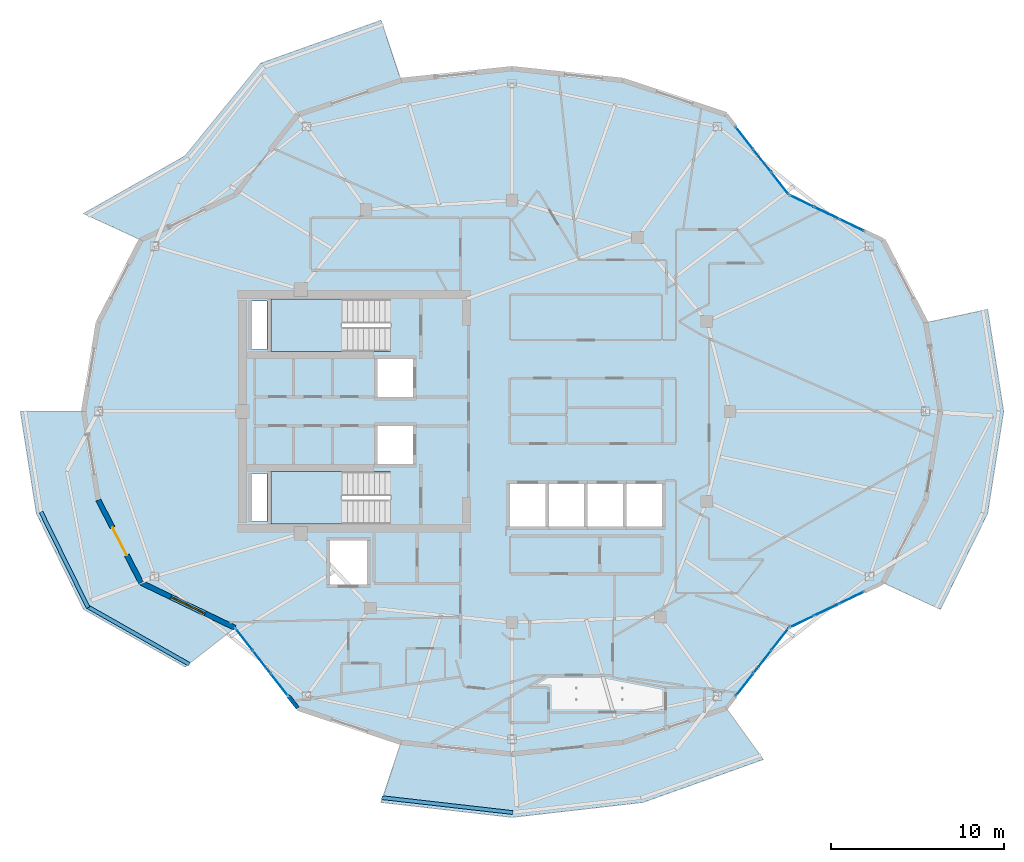
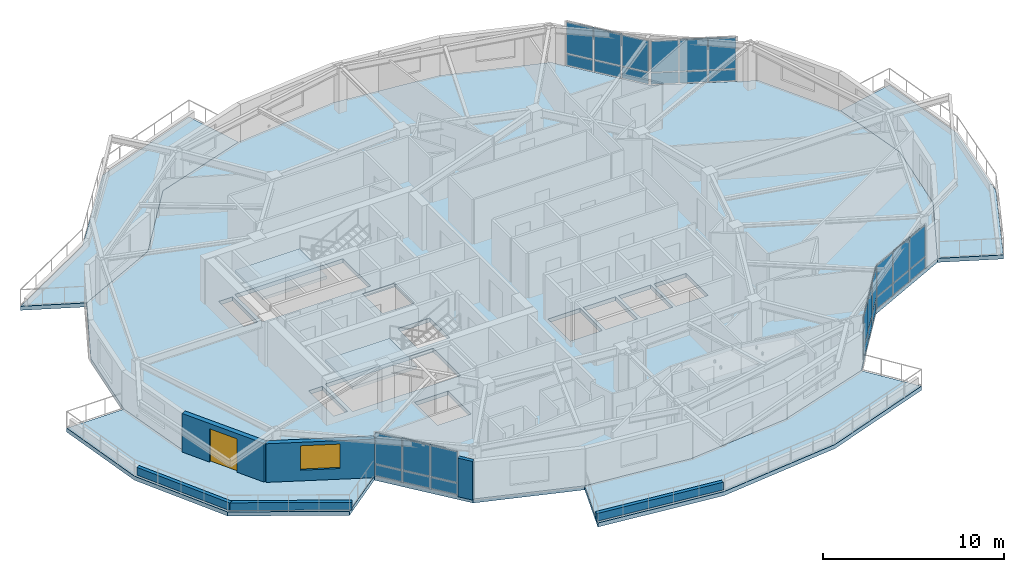
# One storey, part 7 of 21: 35 plates, 7 slabs, 6 walls, 1 door, 1 window, 2 openings, 7 elements without a shape of their own.
"""IFC4 building model written with IfcOpenShell, lengths in metres."""

import ifcopenshell
import ifcopenshell.guid

model = None  # the IFC model being written
_history = None  # IfcOwnerHistory: only IFC2X3 demands one
_inside = {}  # id of a spatial element -> (the spatial element, [elements in it])
_under = {}  # id of a project, library or spatial element -> (it, [spatial elements below it])
_declared = {}  # id of a project -> (the project, [libraries it declares])
_typed = {}  # id of a type object -> (the type object, [elements of that type])
_made_of = {}  # id of a material, layer set ... -> (it, [elements and type objects made of it])


def new_model(schema):
    """Start an empty IFC model of exactly this schema.

    Asked for "IFC4X3", IfcOpenShell would pick the latest addendum, in which some entities
    have other attributes; the version numbers below select the first issue.
    IFC2X3 requires an IfcOwnerHistory on every rooted entity: one is made here for all.
    """
    global model, _history
    if schema == "IFC4X3":
        model = ifcopenshell.file(schema_version=(4, 3, 0, 0))
    else:
        model = ifcopenshell.file(schema=schema)
    _inside.clear()
    _under.clear()
    _declared.clear()
    _typed.clear()
    _made_of.clear()
    _history = None
    if model.schema == "IFC2X3":
        org = make("IfcOrganization", Name="unknown")
        user = make(
            "IfcPersonAndOrganization",
            ThePerson=make("IfcPerson", FamilyName="unknown"),
            TheOrganization=org,
        )
        app = make(
            "IfcApplication",
            ApplicationDeveloper=org,
            Version="unknown",
            ApplicationFullName="unknown",
            ApplicationIdentifier="unknown",
        )
        _history = make(
            "IfcOwnerHistory",
            OwningUser=user,
            OwningApplication=app,
            ChangeAction="ADDED",
            CreationDate=0,
        )
    return model


def make(cls, **values):
    """One entity of the class cls with the attributes given. An attribute that is None is left unset."""
    return model.create_entity(
        cls, **{name: value for name, value in values.items() if value is not None}
    )


def rooted(cls, **values):
    """An entity with a GlobalId (a new one), such as an element, a storey or a relation."""
    return make(cls, GlobalId=ifcopenshell.guid.new(), OwnerHistory=_history, **values)


def si_unit(unit_type, name, prefix=None):
    """IfcSIUnit, for example si_unit("LENGTHUNIT", "METRE", prefix="MILLI")."""
    return make("IfcSIUnit", UnitType=unit_type, Prefix=prefix, Name=name)


def assignment(units):
    """IfcUnitAssignment: the units of a project."""
    return None if units is None else make("IfcUnitAssignment", Units=units)


def point(xyz):
    """IfcCartesianPoint."""
    return None if xyz is None else make("IfcCartesianPoint", Coordinates=xyz)


def direction(xyz):
    """IfcDirection."""
    return None if xyz is None else make("IfcDirection", DirectionRatios=xyz)


def frame(location, z_axis=None, x_axis=None):
    """IfcAxis2Placement3D, a coordinate frame: its origin and axes. An axis left out is left unset."""
    return make(
        "IfcAxis2Placement3D",
        Location=point(location),
        Axis=direction(z_axis),
        RefDirection=direction(x_axis),
    )


def frame_2d(location, x_axis=None):
    """IfcAxis2Placement2D, a coordinate frame in the plane: its origin and x axis."""
    return make(
        "IfcAxis2Placement2D", Location=point(location), RefDirection=direction(x_axis)
    )


def origin():
    """The frame at (0, 0, 0) with its axes left unset."""
    return frame((0.0, 0.0, 0.0))


def origin_2d():
    """The frame at (0, 0) in the plane with its x axis left unset."""
    return frame_2d((0.0, 0.0))


def place(relative_to, where):
    """IfcLocalPlacement: puts the frame where relative to a parent placement (None: the world)."""
    return make(
        "IfcLocalPlacement", PlacementRelTo=relative_to, RelativePlacement=where
    )


def context(
    kind, dimensions, precision=None, world=None, true_north=None, identifier=None
):
    """IfcGeometricRepresentationContext, for example the 3D "Model" context."""
    return make(
        "IfcGeometricRepresentationContext",
        ContextIdentifier=identifier,
        ContextType=kind,
        CoordinateSpaceDimension=dimensions,
        Precision=precision,
        WorldCoordinateSystem=world,
        TrueNorth=true_north,
    )


def subcontext(parent, identifier, kind, view, scale=None):
    """IfcGeometricRepresentationSubContext, for example "Body" below "Model"."""
    return make(
        "IfcGeometricRepresentationSubContext",
        ContextIdentifier=identifier,
        ContextType=kind,
        ParentContext=parent,
        TargetScale=scale,
        TargetView=view,
    )


def project(units=None, contexts=None):
    """IfcProject with its units and contexts."""
    return rooted(
        "IfcProject",
        Name="project",
        RepresentationContexts=contexts,
        UnitsInContext=assignment(units),
    )


def spatial(cls, under=None, at=None, **own):
    """A site, building, storey or space (cls), placed at a placement, below another one or the project."""
    s = rooted(cls, ObjectPlacement=at, **own)
    if under is not None:
        _under.setdefault(under.id(), (under, []))[1].append(s)
    return s


def polyline(points):
    """IfcPolyline through the points."""
    return make("IfcPolyline", Points=[point(p) for p in points])


def profile(cls, at=None, kind="AREA", **sizes):
    """A parametric profile (cls). Its sizes go by their IFC names, for example OverallWidth=200.0."""
    return make(cls, ProfileType=kind, Position=at, **sizes)


def rectangle(**sizes):
    """IfcRectangleProfileDef."""
    return profile("IfcRectangleProfileDef", **sizes)


def outline(outer, holes=None, kind="AREA"):
    """IfcArbitraryClosedProfileDef: a profile drawn as a closed curve; with holes, ...WithVoids."""
    if holes is None:
        return make("IfcArbitraryClosedProfileDef", ProfileType=kind, OuterCurve=outer)
    return make(
        "IfcArbitraryProfileDefWithVoids",
        ProfileType=kind,
        OuterCurve=outer,
        InnerCurves=holes,
    )


def extrude(swept, where, along, depth):
    """IfcExtrudedAreaSolid: the profile swept, set in the frame where, extruded along a direction by depth."""
    return make(
        "IfcExtrudedAreaSolid",
        SweptArea=swept,
        Position=where,
        ExtrudedDirection=direction(along),
        Depth=depth,
    )


def shape(context_of_items, identifier, shape_type, items):
    """IfcShapeRepresentation: the items that make up one representation, for example the "Body"."""
    return make(
        "IfcShapeRepresentation",
        ContextOfItems=context_of_items,
        RepresentationIdentifier=identifier,
        RepresentationType=shape_type,
        Items=items,
    )


def material(Name=None, Category=None):
    """IfcMaterial."""
    return make("IfcMaterial", Name=Name, Category=Category)


def layer(
    of_material, thickness, ventilated=None, Name=None, Category=None, Priority=None
):
    """IfcMaterialLayer: one layer of a wall or slab, of a material (None: an air gap)."""
    return make(
        "IfcMaterialLayer",
        Material=of_material,
        LayerThickness=thickness,
        IsVentilated=ventilated,
        Name=Name,
        Category=Category,
        Priority=Priority,
    )


def layer_set(layers, Name=None):
    """IfcMaterialLayerSet."""
    return make("IfcMaterialLayerSet", MaterialLayers=layers, LayerSetName=Name)


def made_of(thing, what):
    """Note that an element or type object is made of a material, layer set ...; save() writes the relation."""
    if what is not None:
        _made_of.setdefault(what.id(), (what, []))[1].append(thing)
    return thing


def type_object(cls, material=None, **own):
    """A type object (cls), such as IfcWallType, which elements share."""
    return made_of(rooted(cls, **own), material)


def element(
    cls,
    number,
    at=None,
    inside=None,
    cuts=None,
    type_object=None,
    material=None,
    context=None,
    identifier="Body",
    shape_type=None,
    held_by="IfcProductDefinitionShape",
    body=None,
    shapes=None,
    **own,
):
    """One element of the class cls, such as IfcWall. Its Tag is "e" and its number.

    at: its placement. inside: the storey or other place that contains it. cuts: it is an
    opening in that element (IfcRelVoidsElement). A single representation is given by context,
    identifier, shape_type and body (its items); several are given by shapes. held_by: the class
    of the entity that holds the representations. save() writes the other relations.
    """
    e = rooted(cls, Tag="e%d" % number, ObjectPlacement=at, **own)
    if body is not None:
        shapes = [shape(context, identifier, shape_type, body)]
    if shapes is not None:
        e.Representation = make(held_by, Representations=shapes)
    if inside is not None:
        _inside.setdefault(inside.id(), (inside, []))[1].append(e)
    if cuts is not None:
        rooted(
            "IfcRelVoidsElement", RelatingBuildingElement=cuts, RelatedOpeningElement=e
        )
    if type_object is not None:
        _typed.setdefault(type_object.id(), (type_object, []))[1].append(e)
    return made_of(e, material)


def fill(opening, filler):
    """IfcRelFillsElement: the door or window that sits in an opening."""
    return rooted(
        "IfcRelFillsElement",
        RelatingOpeningElement=opening,
        RelatedBuildingElement=filler,
    )


def aggregate(whole, parts):
    """IfcRelAggregates: a whole, such as a stair, and the parts it consists of."""
    return rooted("IfcRelAggregates", RelatingObject=whole, RelatedObjects=parts)


def save(model, path):
    """Write the relations noted so far, then the file.

    IfcRelAggregates (storeys below a building ...), IfcRelContainedInSpatialStructure (elements
    in a storey), IfcRelDefinesByType, IfcRelAssociatesMaterial and IfcRelDeclares: one each for
    every whole, place, type object, material and project.
    """
    for whole, parts in _under.values():
        aggregate(whole, parts)
    for where, things in _inside.values():
        rooted(
            "IfcRelContainedInSpatialStructure",
            RelatedElements=things,
            RelatingStructure=where,
        )
    for kind, things in _typed.values():
        rooted("IfcRelDefinesByType", RelatedObjects=things, RelatingType=kind)
    for what, things in _made_of.values():
        rooted("IfcRelAssociatesMaterial", RelatedObjects=things, RelatingMaterial=what)
    for by, libraries in _declared.values():
        rooted("IfcRelDeclares", RelatingContext=by, RelatedDefinitions=libraries)
    model.write(path)


model = new_model("IFC4")

# Units and contexts
model_context = context("Model", 3, precision=1e-05, world=origin(), true_north=direction((0.0, 1.0)))
body_context = subcontext(model_context, "Body", "Model", "MODEL_VIEW")
ifc_project = project(units=[si_unit("LENGTHUNIT", "METRE"), si_unit("AREAUNIT", "SQUARE_METRE"), si_unit("VOLUMEUNIT", "CUBIC_METRE"), si_unit("PLANEANGLEUNIT", "RADIAN"), si_unit("MASSUNIT", "GRAM", prefix="KILO")], contexts=[model_context])

# Site, building, storey
site_placement = place(None, origin())
site = spatial("IfcSite", under=ifc_project, at=site_placement, CompositionType="ELEMENT")
building_placement = place(site_placement, origin())
building = spatial("IfcBuilding", under=site, at=building_placement, Name="Kolvaren Gate Tower and Convention Centre", CompositionType="ELEMENT")
storey_placement = place(building_placement, frame((0.0, 0.0, 226.10009765625)))
storey = spatial("IfcBuildingStorey", under=building, at=storey_placement, Name="L60", CompositionType="ELEMENT", Elevation=226.10009765625)

# Plates
ifc_material_1 = material(Name="Perforated Anodized Bronze Aluminium Sheet 6 mm", Category="aluminium")
ifc_layer_1 = layer(ifc_material_1, 0.011962890625)
ifc_layer_set_1 = layer_set([ifc_layer_1], Name="Perforated Anodized Bronze Aluminium Sheet 6 mm")
plate_type_1 = type_object("IfcPlateType", Name="ARCH-PL-SCREEN-PERF", PredefinedType="SHEET", material=ifc_layer_set_1)
for number, where, z_axis, x_axis, name in (
    (1, (48.845703125, 38.20361328125, 2.18994140625), (0.0, 0.0, 1.0), (0.90135914581, -0.433072384555, 0.0), "Tower L60 Perforated Bronze Solar Screen SS-02"),
    (2, (44.316162109375, 41.827392578125, 2.18994140625), (0.0, 0.0, 1.0), (0.616434119112, -0.787406487651, 0.0), "Tower L60 Perforated Bronze Solar Screen SS-03"),
    (3, (15.93359375, 12.172607421875, 2.18994140625), (0.0, 0.0, 1.0), (0.616434119112, -0.787406487651, 0.0), "Tower L60 Perforated Bronze Solar Screen SS-15"),
    (4, (44.316162109375, 12.172607421875, 2.18994140625), (0.0, 0.0, 1.0), (0.616434119112, 0.787406487651, 0.0), "Tower L60 Perforated Bronze Solar Screen SS-20"),
    (5, (48.845703125, 15.79638671875, 2.18994140625), (0.0, 0.0, 1.0), (0.90135914581, 0.433072384555, 0.0), "Tower L60 Perforated Bronze Solar Screen SS-21"),
):
    element("IfcPlate", number, at=place(storey_placement, frame(where, z_axis=z_axis, x_axis=x_axis)), inside=storey, type_object=plate_type_1, Name=name, PredefinedType="SHEET", context=body_context, shape_type="SweptSolid", body=[
        extrude(rectangle(XDim=2.60009765625, YDim=0.011962890625, at=origin_2d()), origin(), (0.0, 0.0, 1.0), 0.840087890625),
    ])

# Curtain wall, plates
ifc_material_2 = material(Name="Anodized Architectural Aluminium Alloy 6063-T6", Category="aluminium")
ifc_layer_2 = layer(ifc_material_2, 0.159912109375)
ifc_layer_set_2 = layer_set([ifc_layer_2], Name="Anodized Architectural Aluminium Alloy 6063-T6")
curtain_wall_type = type_object("IfcCurtainWallType", Name="CW-RES-UNIT", PredefinedType="NOTDEFINED", material=ifc_layer_set_2)
curtain_wall_1_placement = place(storey_placement, origin())
curtain_wall_1 = element("IfcCurtainWall", 6, at=curtain_wall_1_placement, inside=storey, type_object=curtain_wall_type, Name="Tower L60 Unitised Curtain Wall CW-RES-UNIT Bay 02", PredefinedType="NOTDEFINED")
ifc_material_3 = material(Name="Low-E Triple Insulated Glazing Unit 44 mm", Category="glass")
ifc_layer_3 = layer(ifc_material_3, 0.0439453125)
ifc_layer_set_3 = layer_set([ifc_layer_3], Name="Low-E Triple Insulated Glazing Unit 44 mm")
plate_type_2 = type_object("IfcPlateType", Name="CW-PL-IGU-44", PredefinedType="CURTAIN_PANEL", material=ifc_layer_set_3)
plate_1_placement = place(storey_placement, frame((46.8740234375, 39.15087890625, 0.88232421875), z_axis=(0.0, 0.0, 1.0), x_axis=(0.90136304725, -0.433064264345, 0.0)))
plate_1 = element("IfcPlate", 7, at=plate_1_placement, type_object=plate_type_2, Name="CW-04 panel 1.2", PredefinedType="CURTAIN_PANEL", context=body_context, shape_type="SweptSolid", body=[
    extrude(rectangle(XDim=1.515380859375, YDim=0.0439453125, at=origin_2d()), origin(), (0.0, 0.0, 1.0), 2.08251953125),
])
plate_2_placement = place(storey_placement, frame((48.313232421875, 38.45947265625, 0.88232421875), z_axis=(0.0, 0.0, 1.0), x_axis=(0.90136304725, -0.433064264345, 0.0)))
plate_2 = element("IfcPlate", 8, at=plate_2_placement, type_object=plate_type_2, Name="CW-04 panel 2.2", PredefinedType="CURTAIN_PANEL", context=body_context, shape_type="SweptSolid", body=[
    extrude(rectangle(XDim=1.548095703125, YDim=0.0439453125, at=origin_2d()), origin(), (0.0, 0.0, 1.0), 2.08251953125),
])
plate_3_placement = place(storey_placement, frame((49.752685546875, 37.76806640625, 0.88232421875), z_axis=(0.0, 0.0, 1.0), x_axis=(0.90136304725, -0.433064264345, 0.0)))
plate_3 = element("IfcPlate", 9, at=plate_3_placement, type_object=plate_type_2, Name="CW-04 panel 3.2", PredefinedType="CURTAIN_PANEL", context=body_context, shape_type="SweptSolid", body=[
    extrude(rectangle(XDim=1.515380859375, YDim=0.0439453125, at=origin_2d()), origin(), (0.0, 0.0, 1.0), 2.08251953125),
])

curtain_wall_2_placement = place(storey_placement, origin())
curtain_wall_2 = element("IfcCurtainWall", 10, at=curtain_wall_2_placement, inside=storey, type_object=curtain_wall_type, Name="Tower L60 Unitised Curtain Wall CW-RES-UNIT Bay 03", PredefinedType="NOTDEFINED")
plate_4_placement = place(storey_placement, frame((43.5654296875, 42.786376953125, 0.88232421875), z_axis=(0.0, 0.0, 1.0), x_axis=(0.616436709784, -0.787404459493, 0.0)))
plate_4 = element("IfcPlate", 11, at=plate_4_placement, type_object=plate_type_2, Name="CW-04 panel 1.2", PredefinedType="CURTAIN_PANEL", context=body_context, shape_type="SweptSolid", body=[
    extrude(rectangle(XDim=1.57470703125, YDim=0.0439453125, at=origin_2d()), origin(), (0.0, 0.0, 1.0), 2.08251953125),
])
plate_5_placement = place(storey_placement, frame((44.586181640625, 41.482421875, 0.88232421875), z_axis=(0.0, 0.0, 1.0), x_axis=(0.616436709784, -0.787404459493, 0.0)))
plate_5 = element("IfcPlate", 12, at=plate_5_placement, type_object=plate_type_2, Name="CW-04 panel 2.2", PredefinedType="CURTAIN_PANEL", context=body_context, shape_type="SweptSolid", body=[
    extrude(rectangle(XDim=1.607177734375, YDim=0.0439453125, at=origin_2d()), origin(), (0.0, 0.0, 1.0), 2.08251953125),
])
plate_6_placement = place(storey_placement, frame((45.607177734375, 40.178466796875, 0.88232421875), z_axis=(0.0, 0.0, 1.0), x_axis=(0.616436709784, -0.787404459493, 0.0)))
plate_6 = element("IfcPlate", 13, at=plate_6_placement, type_object=plate_type_2, Name="CW-04 panel 3.2", PredefinedType="CURTAIN_PANEL", context=body_context, shape_type="SweptSolid", body=[
    extrude(rectangle(XDim=1.57470703125, YDim=0.0439453125, at=origin_2d()), origin(), (0.0, 0.0, 1.0), 2.08251953125),
])

curtain_wall_3_placement = place(storey_placement, origin())
curtain_wall_3 = element("IfcCurtainWall", 14, at=curtain_wall_3_placement, inside=storey, type_object=curtain_wall_type, Name="Tower L60 Unitised Curtain Wall CW-RES-UNIT Bay 15", PredefinedType="NOTDEFINED")
plate_7_placement = place(storey_placement, frame((14.64306640625, 13.821533203125, 0.88232421875), z_axis=(0.0, 0.0, 1.0), x_axis=(0.616429718179, -0.787409932974, 0.0)))
plate_7 = element("IfcPlate", 15, at=plate_7_placement, type_object=plate_type_2, Name="CW-04 panel 1.2", PredefinedType="CURTAIN_PANEL", context=body_context, shape_type="SweptSolid", body=[
    extrude(rectangle(XDim=1.57470703125, YDim=0.0439453125, at=origin_2d()), origin(), (0.0, 0.0, 1.0), 2.08251953125),
])
plate_8_placement = place(storey_placement, frame((15.663818359375, 12.517578125, 0.88232421875), z_axis=(0.0, 0.0, 1.0), x_axis=(0.616429718179, -0.787409932974, 0.0)))
plate_8 = element("IfcPlate", 16, at=plate_8_placement, type_object=plate_type_2, Name="CW-04 panel 2.2", PredefinedType="CURTAIN_PANEL", context=body_context, shape_type="SweptSolid", body=[
    extrude(rectangle(XDim=1.607421875, YDim=0.0439453125, at=origin_2d()), origin(), (0.0, 0.0, 1.0), 2.08251953125),
])
plate_9_placement = place(storey_placement, frame((16.6845703125, 11.21337890625, 0.88232421875), z_axis=(0.0, 0.0, 1.0), x_axis=(0.616429718179, -0.787409932974, 0.0)))
plate_9 = element("IfcPlate", 17, at=plate_9_placement, type_object=plate_type_2, Name="CW-04 panel 3.2", PredefinedType="CURTAIN_PANEL", context=body_context, shape_type="SweptSolid", body=[
    extrude(rectangle(XDim=1.57470703125, YDim=0.0439453125, at=origin_2d()), origin(), (0.0, 0.0, 1.0), 2.08251953125),
])

curtain_wall_4_placement = place(storey_placement, origin())
curtain_wall_4 = element("IfcCurtainWall", 18, at=curtain_wall_4_placement, inside=storey, type_object=curtain_wall_type, Name="Tower L60 Unitised Curtain Wall CW-RES-UNIT Bay 20", PredefinedType="NOTDEFINED")
plate_10_placement = place(storey_placement, frame((43.5654296875, 11.213623046875, 0.88232421875), z_axis=(0.0, 0.0, 1.0), x_axis=(0.616436709784, 0.787404459493, 0.0)))
plate_10 = element("IfcPlate", 19, at=plate_10_placement, type_object=plate_type_2, Name="CW-04 panel 1.2", PredefinedType="CURTAIN_PANEL", context=body_context, shape_type="SweptSolid", body=[
    extrude(rectangle(XDim=1.57470703125, YDim=0.0439453125, at=origin_2d()), origin(), (0.0, 0.0, 1.0), 2.08251953125),
])
plate_11_placement = place(storey_placement, frame((44.586181640625, 12.517578125, 0.88232421875), z_axis=(0.0, 0.0, 1.0), x_axis=(0.616436709784, 0.787404459493, 0.0)))
plate_11 = element("IfcPlate", 20, at=plate_11_placement, type_object=plate_type_2, Name="CW-04 panel 2.2", PredefinedType="CURTAIN_PANEL", context=body_context, shape_type="SweptSolid", body=[
    extrude(rectangle(XDim=1.607177734375, YDim=0.0439453125, at=origin_2d()), origin(), (0.0, 0.0, 1.0), 2.08251953125),
])
plate_12_placement = place(storey_placement, frame((45.607177734375, 13.821533203125, 0.88232421875), z_axis=(0.0, 0.0, 1.0), x_axis=(0.616436709784, 0.787404459493, 0.0)))
plate_12 = element("IfcPlate", 21, at=plate_12_placement, type_object=plate_type_2, Name="CW-04 panel 3.2", PredefinedType="CURTAIN_PANEL", context=body_context, shape_type="SweptSolid", body=[
    extrude(rectangle(XDim=1.57470703125, YDim=0.0439453125, at=origin_2d()), origin(), (0.0, 0.0, 1.0), 2.08251953125),
])

curtain_wall_5_placement = place(storey_placement, origin())
curtain_wall_5 = element("IfcCurtainWall", 22, at=curtain_wall_5_placement, inside=storey, type_object=curtain_wall_type, Name="Tower L60 Unitised Curtain Wall CW-RES-UNIT Bay 21", PredefinedType="NOTDEFINED")
plate_13_placement = place(storey_placement, frame((46.8740234375, 14.84912109375, 0.88232421875), z_axis=(0.0, 0.0, 1.0), x_axis=(0.90136304725, 0.433064264345, 0.0)))
plate_13 = element("IfcPlate", 23, at=plate_13_placement, type_object=plate_type_2, Name="CW-04 panel 1.2", PredefinedType="CURTAIN_PANEL", context=body_context, shape_type="SweptSolid", body=[
    extrude(rectangle(XDim=1.515380859375, YDim=0.0439453125, at=origin_2d()), origin(), (0.0, 0.0, 1.0), 2.08251953125),
])
plate_14_placement = place(storey_placement, frame((48.313232421875, 15.54052734375, 0.88232421875), z_axis=(0.0, 0.0, 1.0), x_axis=(0.90136304725, 0.433064264345, 0.0)))
plate_14 = element("IfcPlate", 24, at=plate_14_placement, type_object=plate_type_2, Name="CW-04 panel 2.2", PredefinedType="CURTAIN_PANEL", context=body_context, shape_type="SweptSolid", body=[
    extrude(rectangle(XDim=1.548095703125, YDim=0.0439453125, at=origin_2d()), origin(), (0.0, 0.0, 1.0), 2.08251953125),
])
plate_15_placement = place(storey_placement, frame((49.752685546875, 16.23193359375, 0.88232421875), z_axis=(0.0, 0.0, 1.0), x_axis=(0.90136304725, 0.433064264345, 0.0)))
plate_15 = element("IfcPlate", 25, at=plate_15_placement, type_object=plate_type_2, Name="CW-04 panel 3.2", PredefinedType="CURTAIN_PANEL", context=body_context, shape_type="SweptSolid", body=[
    extrude(rectangle(XDim=1.515380859375, YDim=0.0439453125, at=origin_2d()), origin(), (0.0, 0.0, 1.0), 2.08251953125),
])

# Plate
ifc_material_4 = material(Name="Solar-Control Laminated Curtain Glazing 36 mm", Category="glass")
ifc_layer_4 = layer(ifc_material_4, 0.035888671875)
ifc_layer_set_4 = layer_set([ifc_layer_4], Name="Solar-Control Laminated Curtain Glazing 36 mm")
plate_type_3 = type_object("IfcPlateType", Name="CW-PL-SPAN-36", PredefinedType="CURTAIN_PANEL", material=ifc_layer_set_4)
plate_16_placement = place(storey_placement, frame((46.8740234375, 39.15087890625, 0.06494140625), z_axis=(0.0, 0.0, 1.0), x_axis=(0.90136304725, -0.433064264345, 0.0)))
plate_16 = element("IfcPlate", 26, at=plate_16_placement, type_object=plate_type_3, Name="CW-04 panel 1.1", PredefinedType="CURTAIN_PANEL", context=body_context, shape_type="SweptSolid", body=[
    extrude(rectangle(XDim=1.515380859375, YDim=0.035888671875, at=origin_2d()), origin(), (0.0, 0.0, 1.0), 0.75244140625),
])

plate_17_placement = place(storey_placement, frame((48.313232421875, 38.45947265625, 0.06494140625), z_axis=(0.0, 0.0, 1.0), x_axis=(0.90136304725, -0.433064264345, 0.0)))
plate_17 = element("IfcPlate", 27, at=plate_17_placement, type_object=plate_type_3, Name="CW-04 panel 2.1", PredefinedType="CURTAIN_PANEL", context=body_context, shape_type="SweptSolid", body=[
    extrude(rectangle(XDim=1.548095703125, YDim=0.035888671875, at=origin_2d()), origin(), (0.0, 0.0, 1.0), 0.75244140625),
])

plate_18_placement = place(storey_placement, frame((49.752685546875, 37.76806640625, 0.06494140625), z_axis=(0.0, 0.0, 1.0), x_axis=(0.90136304725, -0.433064264345, 0.0)))
plate_18 = element("IfcPlate", 28, at=plate_18_placement, type_object=plate_type_3, Name="CW-04 panel 3.1", PredefinedType="CURTAIN_PANEL", context=body_context, shape_type="SweptSolid", body=[
    extrude(rectangle(XDim=1.515380859375, YDim=0.035888671875, at=origin_2d()), origin(), (0.0, 0.0, 1.0), 0.75244140625),
])

aggregate(curtain_wall_1, [plate_16, plate_1, plate_17, plate_2, plate_18, plate_3])

plate_19_placement = place(storey_placement, frame((43.5654296875, 42.786376953125, 0.06494140625), z_axis=(0.0, 0.0, 1.0), x_axis=(0.616436709784, -0.787404459493, 0.0)))
plate_19 = element("IfcPlate", 29, at=plate_19_placement, type_object=plate_type_3, Name="CW-04 panel 1.1", PredefinedType="CURTAIN_PANEL", context=body_context, shape_type="SweptSolid", body=[
    extrude(rectangle(XDim=1.57470703125, YDim=0.035888671875, at=origin_2d()), origin(), (0.0, 0.0, 1.0), 0.75244140625),
])

plate_20_placement = place(storey_placement, frame((44.586181640625, 41.482421875, 0.06494140625), z_axis=(0.0, 0.0, 1.0), x_axis=(0.616436709784, -0.787404459493, 0.0)))
plate_20 = element("IfcPlate", 30, at=plate_20_placement, type_object=plate_type_3, Name="CW-04 panel 2.1", PredefinedType="CURTAIN_PANEL", context=body_context, shape_type="SweptSolid", body=[
    extrude(rectangle(XDim=1.607177734375, YDim=0.035888671875, at=origin_2d()), origin(), (0.0, 0.0, 1.0), 0.75244140625),
])

plate_21_placement = place(storey_placement, frame((45.607177734375, 40.178466796875, 0.06494140625), z_axis=(0.0, 0.0, 1.0), x_axis=(0.616436709784, -0.787404459493, 0.0)))
plate_21 = element("IfcPlate", 31, at=plate_21_placement, type_object=plate_type_3, Name="CW-04 panel 3.1", PredefinedType="CURTAIN_PANEL", context=body_context, shape_type="SweptSolid", body=[
    extrude(rectangle(XDim=1.57470703125, YDim=0.035888671875, at=origin_2d()), origin(), (0.0, 0.0, 1.0), 0.75244140625),
])

aggregate(curtain_wall_2, [plate_19, plate_4, plate_20, plate_5, plate_21, plate_6])

plate_22_placement = place(storey_placement, frame((14.64306640625, 13.821533203125, 0.06494140625), z_axis=(0.0, 0.0, 1.0), x_axis=(0.616429718179, -0.787409932974, 0.0)))
plate_22 = element("IfcPlate", 32, at=plate_22_placement, type_object=plate_type_3, Name="CW-04 panel 1.1", PredefinedType="CURTAIN_PANEL", context=body_context, shape_type="SweptSolid", body=[
    extrude(rectangle(XDim=1.57470703125, YDim=0.035888671875, at=origin_2d()), origin(), (0.0, 0.0, 1.0), 0.75244140625),
])

plate_23_placement = place(storey_placement, frame((15.663818359375, 12.517578125, 0.06494140625), z_axis=(0.0, 0.0, 1.0), x_axis=(0.616429718179, -0.787409932974, 0.0)))
plate_23 = element("IfcPlate", 33, at=plate_23_placement, type_object=plate_type_3, Name="CW-04 panel 2.1", PredefinedType="CURTAIN_PANEL", context=body_context, shape_type="SweptSolid", body=[
    extrude(rectangle(XDim=1.607421875, YDim=0.035888671875, at=origin_2d()), origin(), (0.0, 0.0, 1.0), 0.75244140625),
])

plate_24_placement = place(storey_placement, frame((16.6845703125, 11.21337890625, 0.06494140625), z_axis=(0.0, 0.0, 1.0), x_axis=(0.616429718179, -0.787409932974, 0.0)))
plate_24 = element("IfcPlate", 34, at=plate_24_placement, type_object=plate_type_3, Name="CW-04 panel 3.1", PredefinedType="CURTAIN_PANEL", context=body_context, shape_type="SweptSolid", body=[
    extrude(rectangle(XDim=1.57470703125, YDim=0.035888671875, at=origin_2d()), origin(), (0.0, 0.0, 1.0), 0.75244140625),
])

aggregate(curtain_wall_3, [plate_22, plate_7, plate_23, plate_8, plate_24, plate_9])

plate_25_placement = place(storey_placement, frame((43.5654296875, 11.213623046875, 0.06494140625), z_axis=(0.0, 0.0, 1.0), x_axis=(0.616436709784, 0.787404459493, 0.0)))
plate_25 = element("IfcPlate", 35, at=plate_25_placement, type_object=plate_type_3, Name="CW-04 panel 1.1", PredefinedType="CURTAIN_PANEL", context=body_context, shape_type="SweptSolid", body=[
    extrude(rectangle(XDim=1.57470703125, YDim=0.035888671875, at=origin_2d()), origin(), (0.0, 0.0, 1.0), 0.75244140625),
])

plate_26_placement = place(storey_placement, frame((44.586181640625, 12.517578125, 0.06494140625), z_axis=(0.0, 0.0, 1.0), x_axis=(0.616436709784, 0.787404459493, 0.0)))
plate_26 = element("IfcPlate", 36, at=plate_26_placement, type_object=plate_type_3, Name="CW-04 panel 2.1", PredefinedType="CURTAIN_PANEL", context=body_context, shape_type="SweptSolid", body=[
    extrude(rectangle(XDim=1.607177734375, YDim=0.035888671875, at=origin_2d()), origin(), (0.0, 0.0, 1.0), 0.75244140625),
])

plate_27_placement = place(storey_placement, frame((45.607177734375, 13.821533203125, 0.06494140625), z_axis=(0.0, 0.0, 1.0), x_axis=(0.616436709784, 0.787404459493, 0.0)))
plate_27 = element("IfcPlate", 37, at=plate_27_placement, type_object=plate_type_3, Name="CW-04 panel 3.1", PredefinedType="CURTAIN_PANEL", context=body_context, shape_type="SweptSolid", body=[
    extrude(rectangle(XDim=1.57470703125, YDim=0.035888671875, at=origin_2d()), origin(), (0.0, 0.0, 1.0), 0.75244140625),
])

aggregate(curtain_wall_4, [plate_25, plate_10, plate_26, plate_11, plate_27, plate_12])

plate_28_placement = place(storey_placement, frame((46.8740234375, 14.84912109375, 0.06494140625), z_axis=(0.0, 0.0, 1.0), x_axis=(0.90136304725, 0.433064264345, 0.0)))
plate_28 = element("IfcPlate", 38, at=plate_28_placement, type_object=plate_type_3, Name="CW-04 panel 1.1", PredefinedType="CURTAIN_PANEL", context=body_context, shape_type="SweptSolid", body=[
    extrude(rectangle(XDim=1.515380859375, YDim=0.035888671875, at=origin_2d()), origin(), (0.0, 0.0, 1.0), 0.75244140625),
])

plate_29_placement = place(storey_placement, frame((48.313232421875, 15.54052734375, 0.06494140625), z_axis=(0.0, 0.0, 1.0), x_axis=(0.90136304725, 0.433064264345, 0.0)))
plate_29 = element("IfcPlate", 39, at=plate_29_placement, type_object=plate_type_3, Name="CW-04 panel 2.1", PredefinedType="CURTAIN_PANEL", context=body_context, shape_type="SweptSolid", body=[
    extrude(rectangle(XDim=1.548095703125, YDim=0.035888671875, at=origin_2d()), origin(), (0.0, 0.0, 1.0), 0.75244140625),
])

plate_30_placement = place(storey_placement, frame((49.752685546875, 16.23193359375, 0.06494140625), z_axis=(0.0, 0.0, 1.0), x_axis=(0.90136304725, 0.433064264345, 0.0)))
plate_30 = element("IfcPlate", 40, at=plate_30_placement, type_object=plate_type_3, Name="CW-04 panel 3.1", PredefinedType="CURTAIN_PANEL", context=body_context, shape_type="SweptSolid", body=[
    extrude(rectangle(XDim=1.515380859375, YDim=0.035888671875, at=origin_2d()), origin(), (0.0, 0.0, 1.0), 0.75244140625),
])

aggregate(curtain_wall_5, [plate_28, plate_13, plate_29, plate_14, plate_30, plate_15])

# Slabs
ifc_material_5 = material(Name="Concrete C50/60", Category="concrete")
ifc_layer_5 = layer(ifc_material_5, 0.27001953125)
ifc_layer_set_5 = layer_set([ifc_layer_5], Name="Concrete C50/60")
slab_type_1 = type_object("IfcSlabType", Name="STR-SL-BALC-270", PredefinedType="FLOOR", material=ifc_layer_set_5)
slab_1_placement = place(storey_placement, frame((0.0, 0.0, -0.27001953125)))
element("IfcSlab", 41, at=slab_1_placement, inside=storey, type_object=slab_type_1, Name="Tower L60 Planted Balcony Terrace Slab 1 (North)", PredefinedType="FLOOR", context=body_context, shape_type="SweptSolid", body=[
    extrude(outline(polyline([(23.71923828125, 46.125244140625), (17.75, 44.147216796875), (14.117431640625, 39.50732421875), (8.69091796875, 36.89990234375), (5.3681640625, 38.434814453125), (11.2333984375, 41.7607421875), (15.608154296875, 47.114990234375), (22.556884765625, 49.595703125), (23.71923828125, 46.125244140625)])), origin(), (0.0, 0.0, 1.0), 0.27001953125),
])
slab_2_placement = place(storey_placement, frame((0.0, 0.0, -0.27001953125)))
element("IfcSlab", 42, at=slab_2_placement, inside=storey, type_object=slab_type_1, Name="Tower L60 Planted Balcony Terrace Slab 2 (West)", PredefinedType="FLOOR", context=body_context, shape_type="SweptSolid", body=[
    extrude(outline(polyline([(5.375, 27.0), (6.21826171875, 21.87548828125), (8.69091796875, 17.10009765625), (14.117431640625, 14.49267578125), (11.2333984375, 12.2392578125), (5.3681640625, 15.565185546875), (2.6396484375, 21.1083984375), (1.715087890625, 27.0), (5.375, 27.0)])), origin(), (0.0, 0.0, 1.0), 0.27001953125),
])
slab_3_placement = place(storey_placement, frame((0.0, 0.0, -0.27001953125)))
element("IfcSlab", 43, at=slab_3_placement, inside=storey, type_object=slab_type_1, Name="Tower L60 Planted Balcony Terrace Slab 3 (South)", PredefinedType="FLOOR", context=body_context, shape_type="SweptSolid", body=[
    extrude(outline(polyline([(23.71923828125, 7.874755859375), (30.125, 7.199951171875), (36.53076171875, 7.874755859375), (42.5, 9.852783203125), (44.641845703125, 6.885009765625), (37.693115234375, 4.404296875), (30.125, 3.5400390625), (22.556884765625, 4.404296875), (23.71923828125, 7.874755859375)])), origin(), (0.0, 0.0, 1.0), 0.27001953125),
])
slab_4_placement = place(storey_placement, frame((0.0, 0.0, -0.27001953125)))
element("IfcSlab", 44, at=slab_4_placement, inside=storey, type_object=slab_type_1, Name="Tower L60 Planted Balcony Terrace Slab 4 (East)", PredefinedType="FLOOR", context=body_context, shape_type="SweptSolid", body=[
    extrude(outline(polyline([(51.55908203125, 17.10009765625), (54.03173828125, 21.87548828125), (54.875, 27.0), (54.03173828125, 32.12451171875), (57.6103515625, 32.8916015625), (58.534912109375, 27.0), (57.6103515625, 21.1083984375), (54.8818359375, 15.565185546875), (51.55908203125, 17.10009765625)])), origin(), (0.0, 0.0, 1.0), 0.27001953125),
])
ifc_material_6 = material(Name="Concrete C40/50", Category="concrete")
ifc_layer_6 = layer(ifc_material_6, 0.27001953125)
ifc_layer_set_6 = layer_set([ifc_layer_6], Name="Concrete C40/50")
slab_type_2 = type_object("IfcSlabType", Name="STR-SL-FLR-270", PredefinedType="FLOOR", material=ifc_layer_set_6)
slab_5_placement = place(storey_placement, frame((0.0, 0.0, -0.27001953125)))
element("IfcSlab", 45, at=slab_5_placement, inside=storey, type_object=slab_type_2, Name="Tower L60 Structural Floor Slab", PredefinedType="FLOOR", context=body_context, shape_type="SweptSolid", body=[
    extrude(outline(polyline([(54.875, 27.0), (54.03173828125, 32.12451171875), (51.55908203125, 36.89990234375), (46.132568359375, 39.50732421875), (42.5, 44.147216796875), (36.53076171875, 46.125244140625), (30.125, 46.800048828125), (23.71923828125, 46.125244140625), (17.75, 44.147216796875), (14.117431640625, 39.50732421875), (8.69091796875, 36.89990234375), (6.21826171875, 32.12451171875), (5.375, 27.0), (6.21826171875, 21.87548828125), (8.69091796875, 17.10009765625), (14.117431640625, 14.49267578125), (17.75, 9.852783203125), (23.71923828125, 7.874755859375), (30.125, 7.199951171875), (36.53076171875, 7.874755859375), (42.5, 9.852783203125), (46.132568359375, 14.49267578125), (51.55908203125, 17.10009765625), (54.03173828125, 21.87548828125), (54.875, 27.0)]), holes=[polyline([(36.75, 20.35009765625), (36.75, 22.800048828125), (38.800048828125, 22.800048828125), (38.800048828125, 20.35009765625), (36.75, 20.35009765625)]), polyline([(36.550048828125, 20.35009765625), (34.5, 20.35009765625), (34.5, 22.800048828125), (36.550048828125, 22.800048828125), (36.550048828125, 20.35009765625)]), polyline([(32.25, 20.35009765625), (32.25, 22.800048828125), (34.300048828125, 22.800048828125), (34.300048828125, 20.35009765625), (32.25, 20.35009765625)]), polyline([(30.0, 20.35009765625), (30.0, 22.800048828125), (32.050048828125, 22.800048828125), (32.050048828125, 20.35009765625), (30.0, 20.35009765625)]), polyline([(22.35009765625, 23.9599609375), (22.35009765625, 26.159912109375), (24.39990234375, 26.159912109375), (24.39990234375, 23.9599609375), (22.35009765625, 23.9599609375)]), polyline([(22.35009765625, 27.840087890625), (22.35009765625, 30.0400390625), (24.39990234375, 30.0400390625), (24.39990234375, 27.840087890625), (22.35009765625, 27.840087890625)]), polyline([(16.199951171875, 23.5400390625), (23.10009765625, 23.5400390625), (23.10009765625, 20.5), (16.199951171875, 20.5), (16.199951171875, 23.5400390625)]), polyline([(16.199951171875, 33.5), (23.10009765625, 33.5), (23.10009765625, 30.4599609375), (16.199951171875, 30.4599609375), (16.199951171875, 33.5)]), polyline([(21.75, 17.0), (19.60009765625, 17.0), (19.60009765625, 19.550048828125), (21.75, 19.550048828125), (21.75, 17.0)]), polyline([(15.080078125, 30.580078125), (15.080078125, 33.3701171875), (15.969970703125, 33.3701171875), (15.969970703125, 30.580078125), (15.080078125, 30.580078125)]), polyline([(15.969970703125, 20.6298828125), (15.080078125, 20.6298828125), (15.080078125, 23.419921875), (15.969970703125, 23.419921875), (15.969970703125, 20.6298828125)])]), origin(), (0.0, 0.0, 1.0), 0.27001953125),
])

# Stair, slab
stair_type = type_object("IfcStairType", Name="STR-STAIR-CORE", PredefinedType="HALF_TURN_STAIR", material=ifc_material_5)
stair_1_placement = place(storey_placement, origin())
stair_1 = element("IfcStair", 46, at=stair_1_placement, inside=storey, type_object=stair_type, Name="L60 Tower North Exit Stair ST-T1", PredefinedType="HALF_TURN_STAIR")
ifc_layer_7 = layer(ifc_material_5, 0.199951171875)
ifc_layer_set_7 = layer_set([ifc_layer_7], Name="Concrete C50/60")
slab_type_3 = type_object("IfcSlabType", Name="STR-SL-LAND-200", PredefinedType="LANDING", material=ifc_layer_set_7)
slab_6_placement = place(storey_placement, frame((0.0, 0.0, 1.449951171875)))
slab_6 = element("IfcSlab", 47, at=slab_6_placement, type_object=slab_type_3, Name="ST-T1 landing 1", PredefinedType="LANDING", context=body_context, shape_type="SweptSolid", body=[
    extrude(outline(polyline([(20.31005859375, 33.5), (16.199951171875, 33.5), (16.199951171875, 30.4599609375), (20.31005859375, 30.4599609375), (20.31005859375, 33.5)])), origin(), (0.0, 0.0, 1.0), 0.199951171875),
])
aggregate(stair_1, [slab_6])

stair_2_placement = place(storey_placement, origin())
stair_2 = element("IfcStair", 48, at=stair_2_placement, inside=storey, type_object=stair_type, Name="L60 Tower South Exit Stair ST-T2", PredefinedType="HALF_TURN_STAIR")
slab_7_placement = place(storey_placement, frame((0.0, 0.0, 1.449951171875)))
slab_7 = element("IfcSlab", 49, at=slab_7_placement, type_object=slab_type_3, Name="ST-T2 landing 1", PredefinedType="LANDING", context=body_context, shape_type="SweptSolid", body=[
    extrude(outline(polyline([(20.31005859375, 23.5400390625), (16.199951171875, 23.5400390625), (16.199951171875, 20.5), (20.31005859375, 20.5), (20.31005859375, 23.5400390625)])), origin(), (0.0, 0.0, 1.0), 0.199951171875),
])
aggregate(stair_2, [slab_7])

# Walls
ifc_material_7 = material(Name="Bogota Sabana Bush-Hammered Sandstone Cladding", Category="masonry")
ifc_layer_8 = layer(ifc_material_7, 0.219970703125)
ifc_layer_set_8 = layer_set([ifc_layer_8], Name="Bogota Sabana Bush-Hammered Sandstone Cladding")
wall_type_1 = type_object("IfcWallType", Name="ARCH-WL-PIER-220", PredefinedType="SOLIDWALL", material=ifc_layer_set_8)
wall_1_placement = place(storey_placement, frame((17.210205078125, 10.542236328125, 0.0), z_axis=(0.0, 0.0, 1.0), x_axis=(0.616466126167, -0.787381429352, 0.0)))
element("IfcWall", 50, at=wall_1_placement, inside=storey, type_object=wall_type_1, Name="Tower L60 Unitised Curtain Wall CW-RES-UNIT Bay 15 Right Column Pier Wrap", PredefinedType="SOLIDWALL", context=body_context, shape_type="SweptSolid", body=[
    extrude(rectangle(XDim=0.875732421875, YDim=0.219970703125, at=frame_2d((0.43798828125, 0.0))), origin(), (0.0, 0.0, 1.0), 2.60498046875),
])
ifc_material_8 = material(Name="Piedmont Cream Honed Limestone Cladding", Category="masonry")
ifc_layer_9 = layer(ifc_material_8, 0.219970703125)
ifc_layer_set_9 = layer_set([ifc_layer_9], Name="Piedmont Cream Honed Limestone Cladding")
wall_type_2 = type_object("IfcWallType", Name="ARCH-WL-PLANTER-220", PredefinedType="PARAPET", material=ifc_layer_set_9)
wall_2_placement = place(storey_placement, frame((2.905517578125, 21.1962890625, 0.0), z_axis=(0.0, 0.0, 1.0), x_axis=(0.441640961804, -0.897191875162, 0.0)))
element("IfcWall", 51, at=wall_2_placement, inside=storey, type_object=wall_type_2, Name="Vertical-Forest Balcony Stone Planter Kerb PK-L60-2.2", PredefinedType="PARAPET", context=body_context, shape_type="SweptSolid", body=[
    extrude(rectangle(XDim=6.17822265625, YDim=0.219970703125, at=frame_2d((3.089111328125, 0.0))), origin(), (0.0, 0.0, 1.0), 0.52001953125),
])
wall_3_placement = place(storey_placement, frame((5.6083984375, 15.70947265625, 0.0), z_axis=(0.0, 0.0, 1.0), x_axis=(0.869860619267, -0.493297580623, 0.0)))
element("IfcWall", 52, at=wall_3_placement, inside=storey, type_object=wall_type_2, Name="Vertical-Forest Balcony Stone Planter Kerb PK-L60-2.3", PredefinedType="PARAPET", context=body_context, shape_type="SweptSolid", body=[
    extrude(rectangle(XDim=6.74267578125, YDim=0.219970703125, at=frame_2d((3.371337890625, 0.0))), origin(), (0.0, 0.0, 1.0), 0.52001953125),
])
wall_4_placement = place(storey_placement, frame((22.602294921875, 4.680419921875, 0.0), z_axis=(0.0, 0.0, 1.0), x_axis=(0.993546198781, -0.113428175021, 0.0)))
element("IfcWall", 53, at=wall_4_placement, inside=storey, type_object=wall_type_2, Name="Vertical-Forest Balcony Stone Planter Kerb PK-L60-3.1", PredefinedType="PARAPET", context=body_context, shape_type="SweptSolid", body=[
    extrude(rectangle(XDim=7.6171875, YDim=0.219970703125, at=frame_2d((3.80859375, 0.0))), origin(), (0.0, 0.0, 1.0), 0.52001953125),
])

# Wall, opening, door
ifc_layer_10 = layer(ifc_material_8, 0.300048828125)
ifc_layer_set_10 = layer_set([ifc_layer_10], Name="Piedmont Cream Honed Limestone Cladding")
wall_type_3 = type_object("IfcWallType", Name="ARCH-WL-STONE-300", PredefinedType="SOLIDWALL", material=ifc_layer_set_10)
wall_5_placement = place(storey_placement, frame((6.21826171875, 21.87548828125, 0.0), z_axis=(0.0, 0.0, 1.0), x_axis=(0.459808219482, -0.888018243786, 0.0)))
wall_5 = element("IfcWall", 54, at=wall_5_placement, inside=storey, type_object=wall_type_3, Name="Tower L60 Honed Stone Spandrel Wall EW-13", PredefinedType="SOLIDWALL", context=body_context, shape_type="SweptSolid", body=[
    extrude(rectangle(XDim=5.377685546875, YDim=0.300048828125, at=frame_2d((2.68896484375, 0.0))), origin(), (0.0, 0.0, 1.0), 2.60498046875),
])
opening_1_placement = place(wall_5_placement, frame((1.7890625, 0.0, 0.0)))
opening_1 = element("IfcOpeningElement", 55, at=opening_1_placement, cuts=wall_5, Name="Opening DB-01", PredefinedType="OPENING", context=body_context, shape_type="SweptSolid", body=[
    extrude(rectangle(XDim=1.800048828125, YDim=2.25, at=frame_2d((0.89990234375, 1.125))), frame((0.0, 0.159912109375, 0.0), z_axis=(0.0, -1.0, 0.0), x_axis=(1.0, 0.0, 0.0)), (0.0, 0.0, 1.0), 0.320068359375),
])
door_type = type_object("IfcDoorType", Name="ARCH-DR-BALC-1800", OperationType="SLIDING_TO_LEFT", PredefinedType="DOOR", material=ifc_material_2)
door_placement = place(opening_1_placement, frame((1.800048828125, 0.0, 0.0), z_axis=(0.0, 0.0, 1.0), x_axis=(-1.0, 0.0, 0.0)))
door = element("IfcDoor", 56, at=door_placement, inside=storey, type_object=door_type, Name="Planted Sky Terrace Access Door DB-L60-13", OperationType="SLIDING_TO_LEFT", OverallHeight=2.25, OverallWidth=1.800048828125, PredefinedType="DOOR", context=body_context, shape_type="SweptSolid", body=[
    extrude(rectangle(XDim=1.800048828125, YDim=2.25, at=frame_2d((0.89990234375, 1.125))), frame((0.0, 0.02490234375, 0.0), z_axis=(0.0, -1.0, 0.0), x_axis=(1.0, 0.0, 0.0)), (0.0, 0.0, 1.0), 0.050048828125),
])
fill(opening_1, door)

# Wall, opening, window
wall_6_placement = place(storey_placement, frame((8.69091796875, 17.10009765625, 0.0), z_axis=(0.0, 0.0, 1.0), x_axis=(0.901348331142, -0.433094892545, 0.0)))
wall_6 = element("IfcWall", 57, at=wall_6_placement, inside=storey, type_object=wall_type_3, Name="Tower L60 Honed Stone Spandrel Wall EW-14", PredefinedType="SOLIDWALL", context=body_context, shape_type="SweptSolid", body=[
    extrude(rectangle(XDim=6.0205078125, YDim=0.300048828125, at=frame_2d((3.01025390625, 0.0))), origin(), (0.0, 0.0, 1.0), 2.60498046875),
])
opening_2_placement = place(wall_6_placement, frame((1.909912109375, 0.0, 0.719970703125)))
opening_2 = element("IfcOpeningElement", 58, at=opening_2_placement, cuts=wall_6, Name="Opening W-03", PredefinedType="OPENING", context=body_context, shape_type="SweptSolid", body=[
    extrude(rectangle(XDim=2.199951171875, YDim=1.64990234375, at=frame_2d((1.10009765625, 0.824951171875))), frame((0.0, 0.159912109375, 0.0), z_axis=(0.0, -1.0, 0.0), x_axis=(1.0, 0.0, 0.0)), (0.0, 0.0, 1.0), 0.320068359375),
])
window_type = type_object("IfcWindowType", Name="ARCH-WN-RES-2200", PartitioningType="SINGLE_PANEL", PredefinedType="WINDOW", material=ifc_material_3)
window_placement = place(opening_2_placement, origin())
window = element("IfcWindow", 59, at=window_placement, inside=storey, type_object=window_type, Name="Tower L60 Punched Stone Facade Window W-14", OverallHeight=1.64990234375, OverallWidth=2.199951171875, PartitioningType="SINGLE_PANEL", PredefinedType="WINDOW", context=body_context, shape_type="SweptSolid", body=[
    extrude(rectangle(XDim=2.199951171875, YDim=1.64990234375, at=frame_2d((1.10009765625, 0.824951171875))), frame((0.0, 0.030029296875, 0.0), z_axis=(0.0, -1.0, 0.0), x_axis=(1.0, 0.0, 0.0)), (0.0, 0.0, 1.0), 0.06005859375),
])
fill(opening_2, window)

save(model, "model.ifc")
